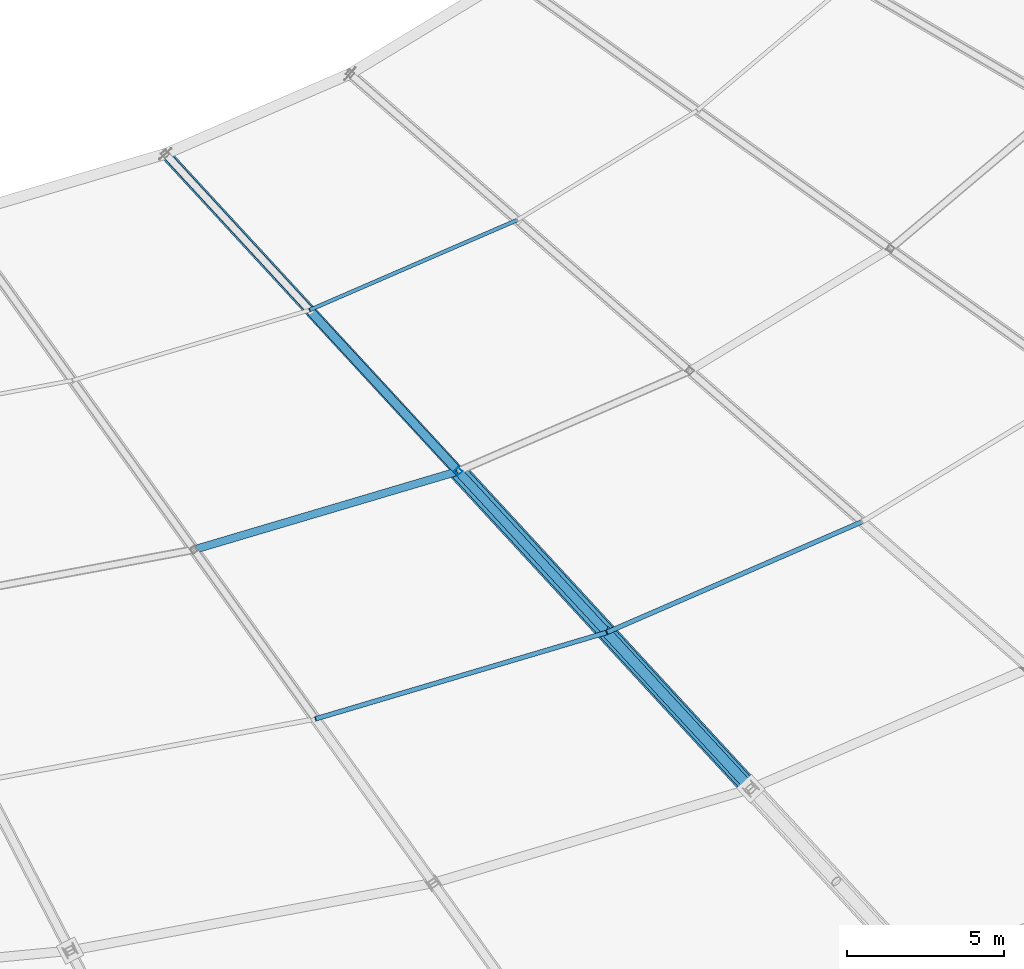
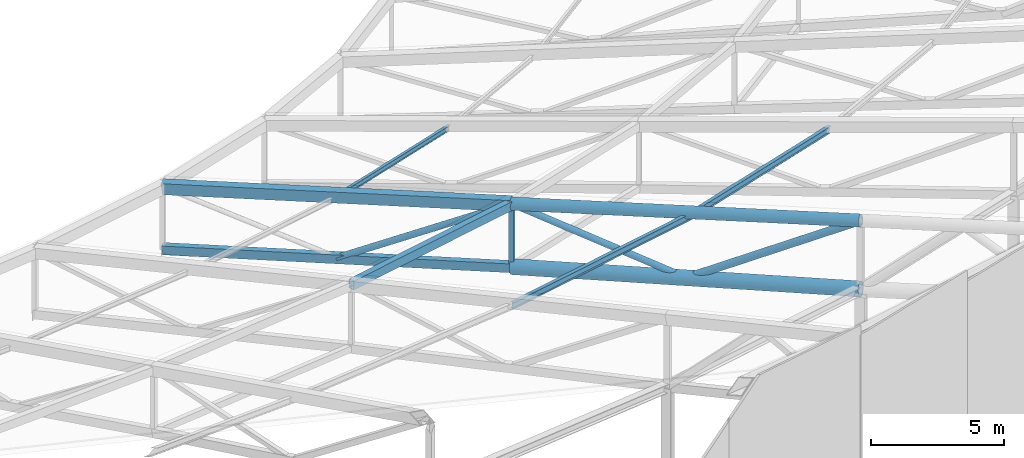
# One storey, part 59 of 143: 7 members, 5 beams.
"""IFC4 building model written with IfcOpenShell, lengths in metres."""

from ifc_helpers import new_model, si_unit, direction, frame, origin, origin_2d, place, context, subcontext, project, spatial, hollow_rectangle, hollow_circle, i_section, extrude, material, material_profile, profile_set, type_object, element, save


model = new_model("IFC4")

# Units and contexts
model_context = context("Model", 3, precision=1e-05, world=origin(), true_north=direction((0.0, 1.0)))
body_context = subcontext(model_context, "Body", "Model", "MODEL_VIEW")
ifc_project = project(units=[si_unit("LENGTHUNIT", "METRE"), si_unit("AREAUNIT", "SQUARE_METRE"), si_unit("VOLUMEUNIT", "CUBIC_METRE"), si_unit("PLANEANGLEUNIT", "RADIAN"), si_unit("MASSUNIT", "GRAM", prefix="KILO")], contexts=[model_context])

# Site, building, storey
site_placement = place(None, origin())
site = spatial("IfcSite", under=ifc_project, at=site_placement, CompositionType="ELEMENT")
building_placement = place(site_placement, origin())
building = spatial("IfcBuilding", under=site, at=building_placement, Name="Mphavela Belvedere Stadium", CompositionType="ELEMENT")
storey_placement = place(building_placement, frame((0.0, 0.0, 28.800048828125)))
storey = spatial("IfcBuildingStorey", under=building, at=storey_placement, Name="RF", CompositionType="ELEMENT", Elevation=28.800048828125)

# Beams
ifc_material_1 = material(Name="Steel S355", Category="steel")
ifc_material_profile_1 = material_profile(ifc_material_1, hollow_rectangle(XDim=0.25, YDim=0.39990234375, WallThickness=0.01611328125, at=origin_2d()), Name="RHS 400x250x16")
ifc_profile_set_1 = profile_set([ifc_material_profile_1], Name="Steel S355")
beam_type_1 = type_object("IfcBeamType", Name="BM-RING-MID", PredefinedType="BEAM", material=ifc_profile_set_1)
beam_1_placement = place(storey_placement, frame((152.703125, 34.461181640625, 8.69384765625), z_axis=(0.955164887659, 0.283529138339, -0.085271713345), x_axis=(-0.284565601841, 0.958656569502, 0.0)))
element("IfcBeam", 1, at=beam_1_placement, inside=storey, type_object=beam_type_1, Name="Intermediate roof ring beam RB-MID-40", PredefinedType="BEAM", context=body_context, shape_type="SweptSolid", body=[
    extrude(hollow_rectangle(XDim=0.25, YDim=0.39990234375, WallThickness=0.01611328125, at=origin_2d()), origin(), (0.0, 0.0, 1.0), 8.826904296875),
])
ifc_material_2 = material(Name="Steel S355", Category="steel")
ifc_material_profile_2 = material_profile(ifc_material_2, hollow_circle(Radius=0.304931640625, WallThickness=0.02490234375, at=origin_2d()), Name="CHS 610x25")
ifc_profile_set_2 = profile_set([ifc_material_profile_2], Name="Steel S355")
beam_type_2 = type_object("IfcBeamType", Name="BM-TRUSS-BC1", PredefinedType="BEAM", material=ifc_profile_set_2)
beam_2_placement = place(storey_placement, frame((170.476318359375, 26.83203125, 6.88623046875), z_axis=(-0.671877631162, 0.728679516352, -0.132689906146), x_axis=(-0.735180274123, -0.677871643116, 0.0)))
element("IfcBeam", 2, at=beam_2_placement, inside=storey, type_object=beam_type_2, Name="Radial roof truss RT-41 bottom chord 2", PredefinedType="BEAM", context=body_context, shape_type="SweptSolid", body=[
    extrude(hollow_circle(Radius=0.304931640625, WallThickness=0.02490234375, at=origin_2d()), origin(), (0.0, 0.0, 1.0), 13.904296875),
])
ifc_material_3 = material(Name="Steel S355", Category="steel")
ifc_material_profile_3 = material_profile(ifc_material_3, hollow_rectangle(XDim=0.25, YDim=0.39990234375, WallThickness=0.01611328125, at=origin_2d()), Name="RHS 400x250x16")
ifc_profile_set_3 = profile_set([ifc_material_profile_3], Name="Steel S355")
beam_type_3 = type_object("IfcBeamType", Name="BM-TRUSS-BC2", PredefinedType="BEAM", material=ifc_profile_set_3)
beam_3_placement = place(storey_placement, frame((161.13427734375, 36.9638671875, 5.041259765625), z_axis=(-0.670518818066, 0.727224831427, -0.146794275009), x_axis=(-0.735189102669, -0.677862068061, 0.0)))
element("IfcBeam", 3, at=beam_3_placement, inside=storey, type_object=beam_type_3, Name="Radial roof truss RT-41 bottom chord 3", PredefinedType="BEAM", context=body_context, shape_type="SweptSolid", body=[
    extrude(hollow_rectangle(XDim=0.25, YDim=0.39990234375, WallThickness=0.01611328125, at=origin_2d()), origin(), (0.0, 0.0, 1.0), 13.93212890625),
])
ifc_material_4 = material(Name="Steel S355", Category="steel")
ifc_material_profile_4 = material_profile(ifc_material_4, hollow_circle(Radius=0.25390625, WallThickness=0.02490234375, at=origin_2d()), Name="CHS 508x25")
ifc_profile_set_4 = profile_set([ifc_material_profile_4], Name="Steel S355")
beam_type_4 = type_object("IfcBeamType", Name="BM-TRUSS-TC1", PredefinedType="BEAM", material=ifc_profile_set_4)
beam_4_placement = place(storey_placement, frame((170.476318359375, 26.83203125, 10.0361328125), z_axis=(-0.670172604534, 0.726830343347, -0.150287498223), x_axis=(-0.735180274123, -0.677871643116, 0.0)))
element("IfcBeam", 4, at=beam_4_placement, inside=storey, type_object=beam_type_4, Name="Radial roof truss RT-41 top chord 2", PredefinedType="BEAM", context=body_context, shape_type="SweptSolid", body=[
    extrude(hollow_circle(Radius=0.25390625, WallThickness=0.02490234375, at=origin_2d()), origin(), (0.0, 0.0, 1.0), 13.939697265625),
])
ifc_material_5 = material(Name="Steel S355", Category="steel")
ifc_material_profile_5 = material_profile(ifc_material_5, hollow_rectangle(XDim=0.35009765625, YDim=0.5, WallThickness=0.02001953125, at=origin_2d()), Name="RHS 500x350x20")
ifc_profile_set_5 = profile_set([ifc_material_profile_5], Name="Steel S355")
beam_type_5 = type_object("IfcBeamType", Name="BM-TRUSS-TC2", PredefinedType="BEAM", material=ifc_profile_set_5)
beam_5_placement = place(storey_placement, frame((161.13427734375, 36.9638671875, 7.941162109375), z_axis=(-0.670162956459, 0.726838874479, -0.150289262214), x_axis=(-0.735189102669, -0.677862068061, 0.0)))
element("IfcBeam", 5, at=beam_5_placement, inside=storey, type_object=beam_type_5, Name="Radial roof truss RT-41 top chord 3", PredefinedType="BEAM", context=body_context, shape_type="SweptSolid", body=[
    extrude(hollow_rectangle(XDim=0.35009765625, YDim=0.5, WallThickness=0.02001953125, at=origin_2d()), origin(), (0.0, 0.0, 1.0), 13.939697265625),
])

# Members
ifc_material_6 = material(Name="Steel S355", Category="steel")
ifc_material_profile_6 = material_profile(ifc_material_6, hollow_circle(Radius=0.136474609375, WallThickness=0.012451171875, at=origin_2d()), Name="CHS 273x12.5")
ifc_profile_set_6 = profile_set([ifc_material_profile_6], Name="Steel S355")
member_type_1 = type_object("IfcMemberType", Name="MEM-DIAG-273", PredefinedType="BRACE", material=ifc_profile_set_6)
member_1_placement = place(storey_placement, frame((165.805419921875, 31.89794921875, 5.963623046875), z_axis=(-0.651580282187, 0.706647721495, 0.275848026222), x_axis=(-0.735171445664, -0.677881217826, 0.0)))
element("IfcMember", 6, at=member_1_placement, inside=storey, type_object=member_type_1, Name="Radial roof truss RT-41 web diagonal D4", PredefinedType="BRACE", context=body_context, shape_type="SweptSolid", body=[
    extrude(hollow_circle(Radius=0.136474609375, WallThickness=0.012451171875, at=origin_2d()), origin(), (0.0, 0.0, 1.0), 7.1689453125),
])
member_2_placement = place(storey_placement, frame((161.13427734375, 36.9638671875, 7.941162109375), z_axis=(-0.589096924477, 0.638917059529, -0.494721946769), x_axis=(-0.735189102669, -0.677862068061, 0.0)))
element("IfcMember", 7, at=member_2_placement, inside=storey, type_object=member_type_1, Name="Radial roof truss RT-41 web diagonal D5", PredefinedType="BRACE", context=body_context, shape_type="SweptSolid", body=[
    extrude(hollow_circle(Radius=0.136474609375, WallThickness=0.012451171875, at=origin_2d()), origin(), (0.0, 0.0, 1.0), 7.928955078125),
])
ifc_material_7 = material(Name="Steel S355", Category="steel")
ifc_material_profile_7 = material_profile(ifc_material_7, hollow_circle(Radius=0.161865234375, WallThickness=0.01611328125, at=origin_2d()), Name="CHS 323.9x16")
ifc_profile_set_7 = profile_set([ifc_material_profile_7], Name="Steel S355")
member_type_2 = type_object("IfcMemberType", Name="MEM-DIAG-324", PredefinedType="BRACE", material=ifc_profile_set_7)
member_3_placement = place(storey_placement, frame((170.476318359375, 26.83203125, 10.0361328125), z_axis=(-0.583560787104, 0.632912729061, -0.508800830529), x_axis=(-0.735189102669, -0.677862068061, 0.0)))
element("IfcMember", 8, at=member_3_placement, inside=storey, type_object=member_type_2, Name="Radial roof truss RT-41 web diagonal D3", PredefinedType="BRACE", context=body_context, shape_type="SweptSolid", body=[
    extrude(hollow_circle(Radius=0.161865234375, WallThickness=0.01611328125, at=origin_2d()), origin(), (0.0, 0.0, 1.0), 8.004150390625),
])
ifc_material_8 = material(Name="Steel S355", Category="steel")
ifc_material_profile_8 = material_profile(ifc_material_8, hollow_rectangle(XDim=0.199951171875, YDim=0.199951171875, WallThickness=0.010009765625, at=origin_2d()), Name="SHS 200x200x10")
ifc_profile_set_8 = profile_set([ifc_material_profile_8], Name="Steel S355")
member_type_3 = type_object("IfcMemberType", Name="MEM-POST-SHS200", PredefinedType="POST", material=ifc_profile_set_8)
member_4_placement = place(storey_placement, frame((161.13427734375, 36.9638671875, 5.041259765625), z_axis=(0.0, 0.0, 1.0), x_axis=(0.677903094969, -0.735151272753, 0.0)))
element("IfcMember", 9, at=member_4_placement, inside=storey, type_object=member_type_3, Name="Radial roof truss RT-41 post P3", PredefinedType="POST", context=body_context, shape_type="SweptSolid", body=[
    extrude(hollow_rectangle(XDim=0.199951171875, YDim=0.199951171875, WallThickness=0.010009765625, at=origin_2d()), origin(), (0.0, 0.0, 1.0), 2.89990234375),
])
ifc_material_9 = material(Name="Steel S355", Category="steel")
ifc_material_profile_9 = material_profile(ifc_material_9, i_section(OverallWidth=0.1201171875, OverallDepth=0.239990234375, WebThickness=0.006103515625, FlangeThickness=0.009765625, at=origin_2d()), Name="IPE 240")
ifc_profile_set_9 = profile_set([ifc_material_profile_9], Name="Steel S355")
member_type_4 = type_object("IfcMemberType", Name="MEM-PURLIN-IPE240", PredefinedType="PURLIN", material=ifc_profile_set_9)
member_5_placement = place(storey_placement, frame((156.3916015625, 42.10791015625, 6.717529296875), z_axis=(0.912118638699, 0.395385792223, -0.108211202035), x_axis=(-0.397721240277, 0.917506302448, 0.0)))
element("IfcMember", 10, at=member_5_placement, inside=storey, type_object=member_type_4, Name="Saddle canopy steel purlin 41-1", PredefinedType="PURLIN", context=body_context, shape_type="SweptSolid", body=[
    extrude(i_section(OverallWidth=0.1201171875, OverallDepth=0.239990234375, WebThickness=0.006103515625, FlangeThickness=0.009765625, at=origin_2d()), origin(), (0.0, 0.0, 1.0), 7.26708984375),
])
ifc_material_10 = material(Name="Steel S355", Category="steel")
ifc_material_profile_10 = material_profile(ifc_material_10, i_section(OverallWidth=0.14990234375, OverallDepth=0.300048828125, WebThickness=0.007080078125, FlangeThickness=0.0107421875, at=origin_2d()), Name="IPE 300")
ifc_profile_set_10 = profile_set([ifc_material_profile_10], Name="Steel S355")
member_type_5 = type_object("IfcMemberType", Name="MEM-PURLIN-IPE300", PredefinedType="PURLIN", material=ifc_profile_set_10)
member_6_placement = place(storey_placement, frame((156.579345703125, 29.06005859375, 9.644775390625), z_axis=(0.955163200826, 0.283534292231, -0.085273471348), x_axis=(-0.284570817546, 0.958655021267, 0.0)))
element("IfcMember", 11, at=member_6_placement, inside=storey, type_object=member_type_5, Name="Saddle canopy steel purlin 40-2", PredefinedType="PURLIN", context=body_context, shape_type="SweptSolid", body=[
    extrude(i_section(OverallWidth=0.14990234375, OverallDepth=0.300048828125, WebThickness=0.007080078125, FlangeThickness=0.0107421875, at=origin_2d()), origin(), (0.0, 0.0, 1.0), 9.734375),
])
member_7_placement = place(storey_placement, frame((165.877197265625, 31.820068359375, 8.814697265625), z_axis=(0.912110365187, 0.395406348231, -0.108205829311), x_axis=(-0.397741683728, 0.917497440337, 0.0)))
element("IfcMember", 12, at=member_7_placement, inside=storey, type_object=member_type_5, Name="Saddle canopy steel purlin 41-2", PredefinedType="PURLIN", context=body_context, shape_type="SweptSolid", body=[
    extrude(i_section(OverallWidth=0.14990234375, OverallDepth=0.300048828125, WebThickness=0.007080078125, FlangeThickness=0.0107421875, at=origin_2d()), origin(), (0.0, 0.0, 1.0), 8.9326171875),
])

save(model, "model.ifc")
